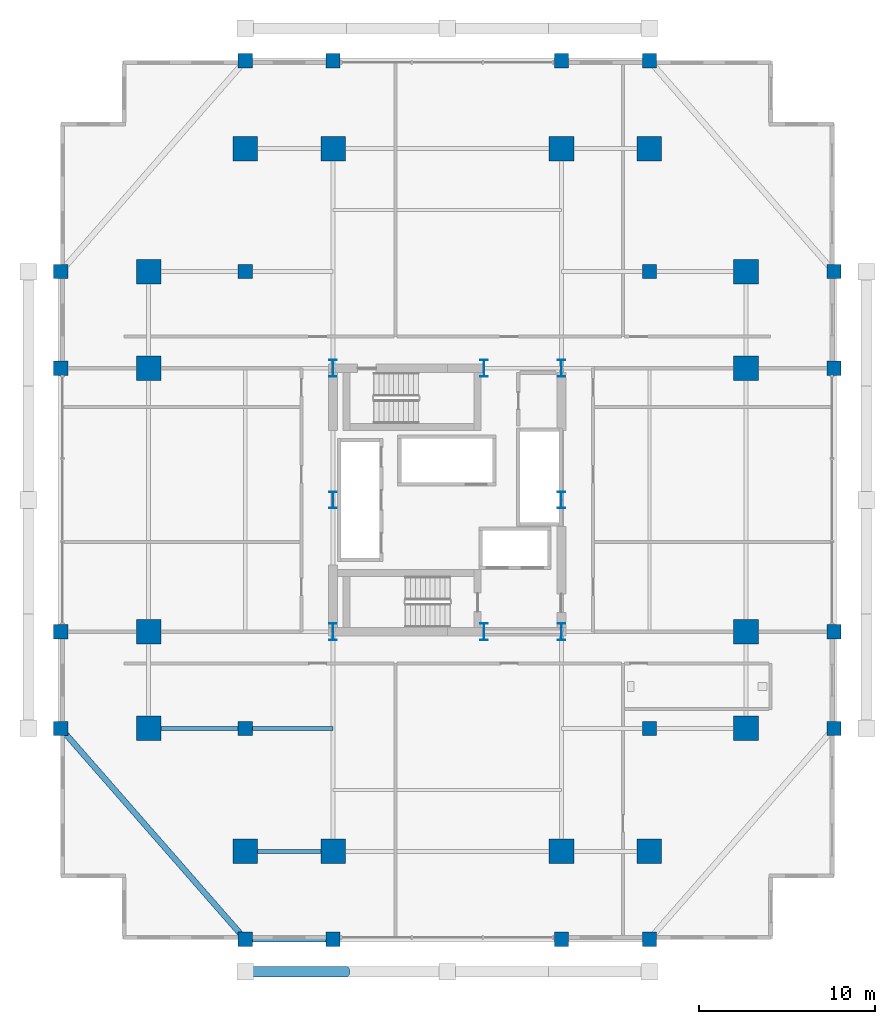
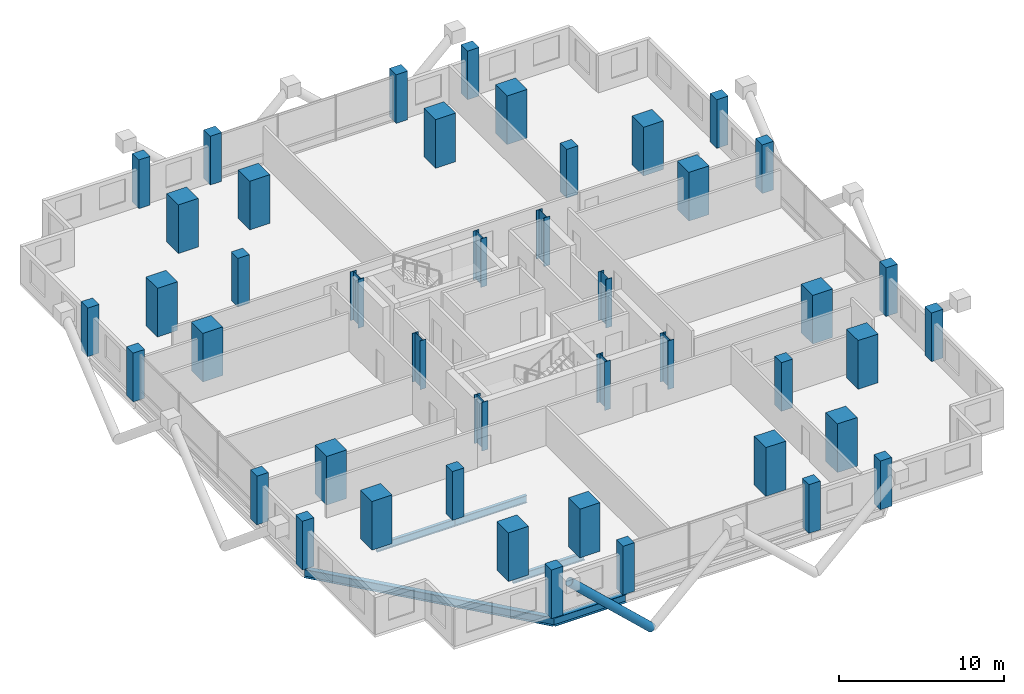
# One storey, part 1 of 21: 44 columns, 5 beams, 1 member.
"""IFC4 building model written with IfcOpenShell, lengths in metres."""

from ifc_helpers import new_model, si_unit, direction, frame, origin, origin_2d, place, context, subcontext, project, spatial, rectangle, hollow_circle, i_section, extrude, material, material_profile, profile_set, type_object, element, save


model = new_model("IFC4")

# Units and contexts
model_context = context("Model", 3, precision=1e-05, world=origin(), true_north=direction((0.0, 1.0)))
body_context = subcontext(model_context, "Body", "Model", "MODEL_VIEW")
ifc_project = project(units=[si_unit("LENGTHUNIT", "METRE"), si_unit("AREAUNIT", "SQUARE_METRE"), si_unit("VOLUMEUNIT", "CUBIC_METRE"), si_unit("PLANEANGLEUNIT", "RADIAN"), si_unit("MASSUNIT", "GRAM", prefix="KILO")], contexts=[model_context])

# Site, building, storey
site_placement = place(None, origin())
site = spatial("IfcSite", under=ifc_project, at=site_placement, CompositionType="ELEMENT")
building_placement = place(site_placement, origin())
building = spatial("IfcBuilding", under=site, at=building_placement, Name="Barlavira Tower and Art Museum", CompositionType="ELEMENT")
storey_placement = place(building_placement, frame((0.0, 0.0, 79.199951171875)))
storey = spatial("IfcBuildingStorey", under=building, at=storey_placement, Name="L19", CompositionType="ELEMENT", Elevation=79.199951171875)

# Columns
ifc_material_1 = material(Name="Steel S355", Category="steel")
ifc_material_profile_1 = material_profile(ifc_material_1, i_section(OverallWidth=0.419921875, OverallDepth=0.9599609375, WebThickness=0.02197265625, FlangeThickness=0.033935546875, at=origin_2d()), Name="W920x387.0")
ifc_profile_set_1 = profile_set([ifc_material_profile_1], Name="Steel S355")
column_type_1 = type_object("IfcColumnType", Name="Core Composite Column W920x387 Steel S355", PredefinedType="COLUMN", material=ifc_profile_set_1)
for number, where, z_axis, x_axis, name in (
    (1, (-6.5, -7.5, 0.0), (0.0, 0.0, 1.0), (1.0, 0.0, 0.0), "L19 Column CC-L19-C1"),
    (2, (2.080078125, -7.5, 0.0), (0.0, 0.0, 1.0), (1.0, 0.0, 0.0), "L19 Column CC-L19-C2"),
    (3, (6.5, -7.5, 0.0), (0.0, 0.0, 1.0), (1.0, 0.0, 0.0), "L19 Column CC-L19-C3"),
    (4, (-6.5, 0.0, 0.0), (0.0, 0.0, 1.0), (1.0, 0.0, 0.0), "L19 Column CC-L19-C4"),
    (5, (6.5, 0.0, 0.0), (0.0, 0.0, 1.0), (1.0, 0.0, 0.0), "L19 Column CC-L19-C5"),
    (6, (-6.5, 7.5, 0.0), (0.0, 0.0, 1.0), (1.0, 0.0, 0.0), "L19 Column CC-L19-C6"),
    (7, (2.080078125, 7.5, 0.0), (0.0, 0.0, 1.0), (1.0, 0.0, 0.0), "L19 Column CC-L19-C7"),
    (8, (6.5, 7.5, 0.0), (0.0, 0.0, 1.0), (1.0, 0.0, 0.0), "L19 Column CC-L19-C8"),
):
    element("IfcColumn", number, at=place(storey_placement, frame(where, z_axis=z_axis, x_axis=x_axis)), inside=storey, type_object=column_type_1, Name=name, PredefinedType="COLUMN", context=body_context, shape_type="SweptSolid", body=[
        extrude(i_section(OverallWidth=0.419921875, OverallDepth=0.9599609375, WebThickness=0.02197265625, FlangeThickness=0.033935546875, at=origin_2d()), origin(), (0.0, 0.0, 1.0), 3.60009765625),
    ])
ifc_material_2 = material(Name="Concrete C60", Category="concrete")
ifc_material_profile_2 = material_profile(ifc_material_2, rectangle(XDim=1.39990234375, YDim=1.39990234375, at=origin_2d()), Name="RC-MCOL 1400x1400")
ifc_profile_set_2 = profile_set([ifc_material_profile_2], Name="Concrete C60")
column_type_2 = type_object("IfcColumnType", Name="Perimeter Mega Column 1400x1400 Concrete C60", PredefinedType="USERDEFINED", material=ifc_profile_set_2)
for number, where, z_axis, x_axis, name in (
    (9, (-11.5, -20.0, 0.0), (0.0, 0.0, 1.0), (1.0, 0.0, 0.0), "L19 Column MC-L19-M01"),
    (10, (-6.5, -20.0, 0.0), (0.0, 0.0, 1.0), (1.0, 0.0, 0.0), "L19 Column MC-L19-M02"),
    (11, (6.5, -20.0, 0.0), (0.0, 0.0, 1.0), (1.0, 0.0, 0.0), "L19 Column MC-L19-M03"),
    (12, (11.5, -20.0, 0.0), (0.0, 0.0, 1.0), (1.0, 0.0, 0.0), "L19 Column MC-L19-M04"),
    (13, (17.0, -13.0, 0.0), (0.0, 0.0, 1.0), (1.0, 0.0, 0.0), "L19 Column MC-L19-M05"),
    (14, (17.0, -7.5, 0.0), (0.0, 0.0, 1.0), (1.0, 0.0, 0.0), "L19 Column MC-L19-M06"),
    (15, (17.0, 7.5, 0.0), (0.0, 0.0, 1.0), (1.0, 0.0, 0.0), "L19 Column MC-L19-M07"),
    (16, (17.0, 13.0, 0.0), (0.0, 0.0, 1.0), (1.0, 0.0, 0.0), "L19 Column MC-L19-M08"),
    (17, (11.5, 20.0, 0.0), (0.0, 0.0, 1.0), (1.0, 0.0, 0.0), "L19 Column MC-L19-M09"),
    (18, (6.5, 20.0, 0.0), (0.0, 0.0, 1.0), (1.0, 0.0, 0.0), "L19 Column MC-L19-M10"),
    (19, (-6.5, 20.0, 0.0), (0.0, 0.0, 1.0), (1.0, 0.0, 0.0), "L19 Column MC-L19-M11"),
    (20, (-11.5, 20.0, 0.0), (0.0, 0.0, 1.0), (1.0, 0.0, 0.0), "L19 Column MC-L19-M12"),
    (21, (-17.0, 13.0, 0.0), (0.0, 0.0, 1.0), (1.0, 0.0, 0.0), "L19 Column MC-L19-M13"),
    (22, (-17.0, 7.5, 0.0), (0.0, 0.0, 1.0), (1.0, 0.0, 0.0), "L19 Column MC-L19-M14"),
    (23, (-17.0, -7.5, 0.0), (0.0, 0.0, 1.0), (1.0, 0.0, 0.0), "L19 Column MC-L19-M15"),
    (24, (-17.0, -13.0, 0.0), (0.0, 0.0, 1.0), (1.0, 0.0, 0.0), "L19 Column MC-L19-M16"),
):
    element("IfcColumn", number, at=place(storey_placement, frame(where, z_axis=z_axis, x_axis=x_axis)), inside=storey, type_object=column_type_2, Name=name, ObjectType="MEGA COLUMN", PredefinedType="USERDEFINED", context=body_context, shape_type="SweptSolid", body=[
        extrude(rectangle(XDim=1.39990234375, YDim=1.39990234375, at=origin_2d()), origin(), (0.0, 0.0, 1.0), 3.60009765625),
    ])
ifc_material_3 = material(Name="Concrete C50", Category="concrete")
ifc_material_profile_3 = material_profile(ifc_material_3, rectangle(XDim=0.800048828125, YDim=0.800048828125, at=origin_2d()), Name="RC-COL 800x800")
ifc_profile_set_3 = profile_set([ifc_material_profile_3], Name="Concrete C50")
column_type_3 = type_object("IfcColumnType", Name="Podium Frame Column 800x800 Concrete C50", PredefinedType="COLUMN", material=ifc_profile_set_3)
for number, where, z_axis, x_axis, name in (
    (25, (-11.5, -13.0, 0.0), (0.0, 0.0, 1.0), (1.0, 0.0, 0.0), "L19 Column CI-L19-I1"),
    (26, (11.5, -13.0, 0.0), (0.0, 0.0, 1.0), (1.0, 0.0, 0.0), "L19 Column CI-L19-I2"),
    (27, (-11.5, 13.0, 0.0), (0.0, 0.0, 1.0), (1.0, 0.0, 0.0), "L19 Column CI-L19-I3"),
    (28, (11.5, 13.0, 0.0), (0.0, 0.0, 1.0), (1.0, 0.0, 0.0), "L19 Column CI-L19-I4"),
    (29, (-11.5, -25.0, 0.0), (0.0, 0.0, 1.0), (1.0, 0.0, 0.0), "L19 Column CZ1-L19-N01"),
    (30, (-6.5, -25.0, 0.0), (0.0, 0.0, 1.0), (1.0, 0.0, 0.0), "L19 Column CZ1-L19-N02"),
    (31, (6.5, -25.0, 0.0), (0.0, 0.0, 1.0), (1.0, 0.0, 0.0), "L19 Column CZ1-L19-N02B"),
    (32, (11.5, -25.0, 0.0), (0.0, 0.0, 1.0), (1.0, 0.0, 0.0), "L19 Column CZ1-L19-N03"),
    (33, (-22.0, -13.0, 0.0), (0.0, 0.0, 1.0), (1.0, 0.0, 0.0), "L19 Column CZ1-L19-N04"),
    (34, (-22.0, -7.5, 0.0), (0.0, 0.0, 1.0), (1.0, 0.0, 0.0), "L19 Column CZ1-L19-N05"),
    (35, (-22.0, 7.5, 0.0), (0.0, 0.0, 1.0), (1.0, 0.0, 0.0), "L19 Column CZ1-L19-N05B"),
    (36, (-22.0, 13.0, 0.0), (0.0, 0.0, 1.0), (1.0, 0.0, 0.0), "L19 Column CZ1-L19-N06"),
    (37, (-11.5, 25.0, 0.0), (0.0, 0.0, 1.0), (1.0, 0.0, 0.0), "L19 Column CZ1-L19-N07"),
    (38, (-6.5, 25.0, 0.0), (0.0, 0.0, 1.0), (1.0, 0.0, 0.0), "L19 Column CZ1-L19-N08"),
    (39, (6.5, 25.0, 0.0), (0.0, 0.0, 1.0), (1.0, 0.0, 0.0), "L19 Column CZ1-L19-N08B"),
    (40, (11.5, 25.0, 0.0), (0.0, 0.0, 1.0), (1.0, 0.0, 0.0), "L19 Column CZ1-L19-N09"),
    (41, (22.0, -13.0, 0.0), (0.0, 0.0, 1.0), (1.0, 0.0, 0.0), "L19 Column CZ1-L19-N10"),
    (42, (22.0, -7.5, 0.0), (0.0, 0.0, 1.0), (1.0, 0.0, 0.0), "L19 Column CZ1-L19-N11"),
    (43, (22.0, 7.5, 0.0), (0.0, 0.0, 1.0), (1.0, 0.0, 0.0), "L19 Column CZ1-L19-N11B"),
    (44, (22.0, 13.0, 0.0), (0.0, 0.0, 1.0), (1.0, 0.0, 0.0), "L19 Column CZ1-L19-N12"),
):
    element("IfcColumn", number, at=place(storey_placement, frame(where, z_axis=z_axis, x_axis=x_axis)), inside=storey, type_object=column_type_3, Name=name, PredefinedType="COLUMN", context=body_context, shape_type="SweptSolid", body=[
        extrude(rectangle(XDim=0.800048828125, YDim=0.800048828125, at=origin_2d()), origin(), (0.0, 0.0, 1.0), 3.60009765625),
    ])

# Member
ifc_material_profile_4 = material_profile(ifc_material_1, hollow_circle(Radius=0.304931640625, WallThickness=0.028076171875, at=origin_2d()), Name="CHS 610.0x28.0")
ifc_profile_set_4 = profile_set([ifc_material_profile_4], Name="Steel S355")
member_type = type_object("IfcMemberType", Name="Pale-Metal Exoskeleton Diagrid Tube CHS 610x28 Steel S355", PredefinedType="BRACE", material=ifc_profile_set_4)
member_placement = place(storey_placement, frame((-5.75, -26.85009765625, -1.919921875), z_axis=(-0.728950095515, 0.0, 0.684566839869), x_axis=(0.0, -1.0, 0.0)))
element("IfcMember", 45, at=member_placement, inside=storey, type_object=member_type, Name="L19 Exoskeleton Diagrid Tube S", PredefinedType="BRACE", context=body_context, shape_type="SweptSolid", body=[
    extrude(hollow_circle(Radius=0.304931640625, WallThickness=0.028076171875, at=origin_2d()), origin(), (0.0, 0.0, 1.0), 7.887939453125),
])

# Beams
ifc_material_profile_5 = material_profile(ifc_material_1, i_section(OverallWidth=0.327880859375, OverallDepth=0.62890625, WebThickness=0.013916015625, FlangeThickness=0.021484375, at=origin_2d()), Name="W610x174.0")
ifc_profile_set_5 = profile_set([ifc_material_profile_5], Name="Steel S355")
beam_type_1 = type_object("IfcBeamType", Name="Perimeter Spandrel Edge Beam W610x174 Steel S355", PredefinedType="SPANDREL", material=ifc_profile_set_5)
beam_1_placement = place(storey_placement, frame((-11.5, -25.0, -0.534423828125), z_axis=(1.0, 0.0, 0.0), x_axis=(0.0, 1.0, 0.0)))
element("IfcBeam", 46, at=beam_1_placement, inside=storey, type_object=beam_type_1, Name="L19 Spandrel 1", PredefinedType="SPANDREL", context=body_context, shape_type="SweptSolid", body=[
    extrude(i_section(OverallWidth=0.327880859375, OverallDepth=0.62890625, WebThickness=0.013916015625, FlangeThickness=0.021484375, at=origin_2d()), origin(), (0.0, 0.0, 1.0), 5.0),
])
beam_2_placement = place(storey_placement, frame((-22.0, -13.0, -0.534423828125), z_axis=(0.658504607869, -0.752576694707, 0.0), x_axis=(0.752576694707, 0.658504607869, 0.0)))
element("IfcBeam", 47, at=beam_2_placement, inside=storey, type_object=beam_type_1, Name="L19 Spandrel 16", PredefinedType="SPANDREL", context=body_context, shape_type="SweptSolid", body=[
    extrude(i_section(OverallWidth=0.327880859375, OverallDepth=0.62890625, WebThickness=0.013916015625, FlangeThickness=0.021484375, at=origin_2d()), origin(), (0.0, 0.0, 1.0), 15.9453125),
])
ifc_material_profile_6 = material_profile(ifc_material_1, i_section(OverallWidth=0.214111328125, OverallDepth=0.549072265625, WebThickness=0.0146484375, FlangeThickness=0.023681640625, at=origin_2d()), Name="W530x138.0")
ifc_profile_set_6 = profile_set([ifc_material_profile_6], Name="Steel S355")
beam_type_2 = type_object("IfcBeamType", Name="Zone 1 Primary Floor Girder W530x138 Steel S355", PredefinedType="BEAM", material=ifc_profile_set_6)
beam_3_placement = place(storey_placement, frame((-11.5, -20.0, -0.494384765625), z_axis=(1.0, 0.0, 0.0), x_axis=(0.0, 1.0, 0.0)))
element("IfcBeam", 48, at=beam_3_placement, inside=storey, type_object=beam_type_2, Name="L19 Girder M-S1", PredefinedType="BEAM", context=body_context, shape_type="SweptSolid", body=[
    extrude(i_section(OverallWidth=0.214111328125, OverallDepth=0.549072265625, WebThickness=0.0146484375, FlangeThickness=0.023681640625, at=origin_2d()), origin(), (0.0, 0.0, 1.0), 5.0),
])
beam_4_placement = place(storey_placement, frame((-17.0, -13.0, -0.494384765625), z_axis=(1.0, 0.0, 0.0), x_axis=(0.0, 1.0, 0.0)))
element("IfcBeam", 49, at=beam_4_placement, inside=storey, type_object=beam_type_2, Name="L19 Girder I-S1", PredefinedType="BEAM", context=body_context, shape_type="SweptSolid", body=[
    extrude(i_section(OverallWidth=0.214111328125, OverallDepth=0.549072265625, WebThickness=0.0146484375, FlangeThickness=0.023681640625, at=origin_2d()), origin(), (0.0, 0.0, 1.0), 5.5),
])
beam_5_placement = place(storey_placement, frame((-11.5, -13.0, -0.494384765625), z_axis=(1.0, 0.0, 0.0), x_axis=(0.0, 1.0, 0.0)))
element("IfcBeam", 50, at=beam_5_placement, inside=storey, type_object=beam_type_2, Name="L19 Girder I-S2", PredefinedType="BEAM", context=body_context, shape_type="SweptSolid", body=[
    extrude(i_section(OverallWidth=0.214111328125, OverallDepth=0.549072265625, WebThickness=0.0146484375, FlangeThickness=0.023681640625, at=origin_2d()), origin(), (0.0, 0.0, 1.0), 5.0),
])

save(model, "model.ifc")
